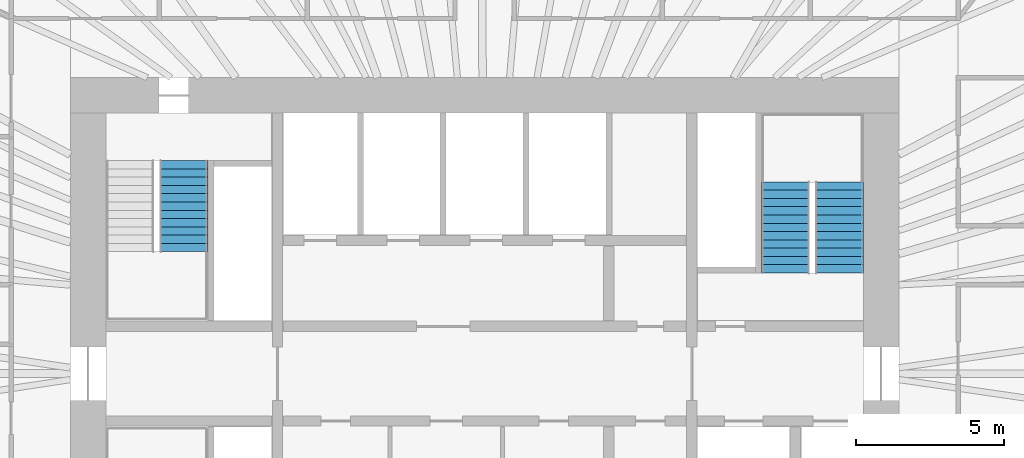
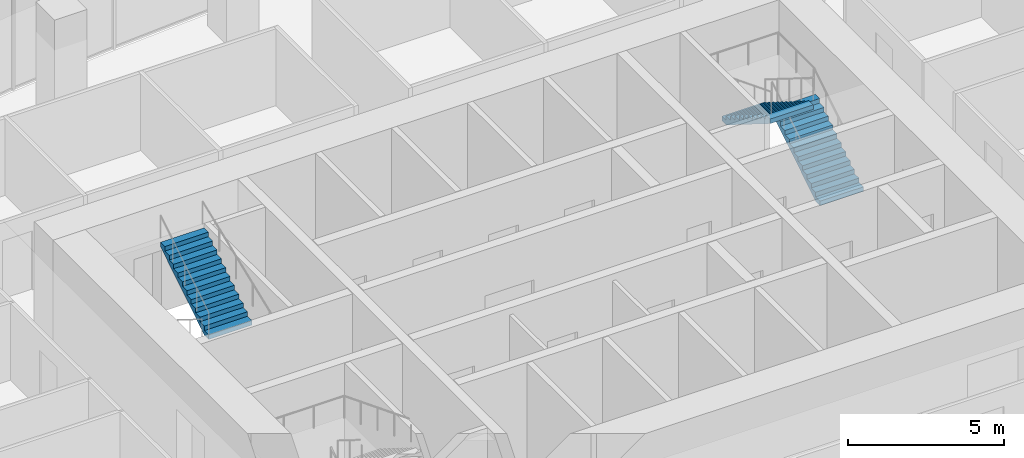
# One storey, part 11 of 12: 3 stair flights, 2 elements without a shape of their own.
"""IFC4 building model written with IfcOpenShell, lengths in metres."""

from ifc_helpers import new_model, si_unit, direction, frame, origin, place, context, subcontext, project, spatial, polyline, outline, extrude, material, type_object, element, aggregate, save


model = new_model("IFC4")

# Units and contexts
model_context = context("Model", 3, precision=1e-05, world=origin(), true_north=direction((0.0, 1.0)))
body_context = subcontext(model_context, "Body", "Model", "MODEL_VIEW")
ifc_project = project(units=[si_unit("LENGTHUNIT", "METRE"), si_unit("AREAUNIT", "SQUARE_METRE"), si_unit("VOLUMEUNIT", "CUBIC_METRE"), si_unit("PLANEANGLEUNIT", "RADIAN"), si_unit("MASSUNIT", "GRAM", prefix="KILO")], contexts=[model_context])

# Site, building, storey
site_placement = place(None, origin())
site = spatial("IfcSite", under=ifc_project, at=site_placement, CompositionType="ELEMENT")
building_placement = place(site_placement, origin())
building = spatial("IfcBuilding", under=site, at=building_placement, Name="Ghaith Harvest Tower", CompositionType="ELEMENT")
storey_placement = place(building_placement, frame((0.0, 0.0, 253.60009765625)))
storey = spatial("IfcBuildingStorey", under=building, at=storey_placement, Name="L56", CompositionType="ELEMENT", Elevation=253.60009765625)

# Stair, stair flight
ifc_material_1 = material(Name="Concrete C40/50, precast", Category="concrete")
stair_type = type_object("IfcStairType", Name="CORE STAIR 24R", PredefinedType="HALF_TURN_STAIR", material=ifc_material_1)
stair_1_placement = place(storey_placement, origin())
stair_1 = element("IfcStair", 1, at=stair_1_placement, inside=storey, type_object=stair_type, Name="Stair ST1 L56", PredefinedType="HALF_TURN_STAIR")
ifc_material_2 = material(Name="Concrete C40/50, precast", Category="concrete")
stair_flight_type = type_object("IfcStairFlightType", Name="CORE FLIGHT 12R 1600", PredefinedType="STRAIGHT", material=ifc_material_2)
stair_flight_1_placement = place(storey_placement, frame((-10.14990234375, 4.1201171875, 2.099853515625), z_axis=(0.0, 0.0, 1.0), x_axis=(0.0, 1.0, 0.0)))
stair_flight_1 = element("IfcStairFlight", 2, at=stair_flight_1_placement, type_object=stair_flight_type, Name="ST1 flight 2", NumberOfRisers=12, NumberOfTreads=11, PredefinedType="STRAIGHT", RiserHeight=0.175, TreadLength=0.28, context=body_context, shape_type="SweptSolid", body=[
    extrude(outline(polyline([(0.0, 0.0), (0.0, 0.175048828125), (0.280029296875, 0.175048828125), (0.280029296875, 0.35009765625), (0.56005859375, 0.35009765625), (0.56005859375, 0.52490234375), (0.840087890625, 0.52490234375), (0.840087890625, 0.699951171875), (1.1201171875, 0.699951171875), (1.1201171875, 0.875), (1.39990234375, 0.875), (1.39990234375, 1.050048828125), (1.679931640625, 1.050048828125), (1.679931640625, 1.22509765625), (1.9599609375, 1.22509765625), (1.9599609375, 1.39990234375), (2.239990234375, 1.39990234375), (2.239990234375, 1.574951171875), (2.52001953125, 1.574951171875), (2.52001953125, 1.75), (2.800048828125, 1.75), (2.800048828125, 1.925048828125), (3.080078125, 1.925048828125), (3.080078125, 2.10009765625), (3.080078125, 1.748291015625), (0.28271484375, 0.0), (0.0, 0.0)])), frame((0.0, 0.800048828125, 0.0), z_axis=(0.0, -1.0, 0.0), x_axis=(1.0, 0.0, 0.0)), (0.0, 0.0, 1.0), 1.60009765625),
])
aggregate(stair_1, [stair_flight_1])

# Stair, stair flights
stair_2_placement = place(storey_placement, origin())
stair_2 = element("IfcStair", 3, at=stair_2_placement, inside=storey, type_object=stair_type, Name="Stair ST2 L56", PredefinedType="HALF_TURN_STAIR")
stair_flight_2_placement = place(storey_placement, frame((12.0, 3.39990234375, 0.0), z_axis=(0.0, 0.0, 1.0), x_axis=(0.0, 1.0, 0.0)))
stair_flight_2 = element("IfcStairFlight", 4, at=stair_flight_2_placement, type_object=stair_flight_type, Name="ST2 flight 1", NumberOfRisers=12, NumberOfTreads=11, PredefinedType="STRAIGHT", RiserHeight=0.175, TreadLength=0.28, context=body_context, shape_type="SweptSolid", body=[
    extrude(outline(polyline([(0.0, 0.0), (0.0, 0.175048828125), (0.280029296875, 0.175048828125), (0.280029296875, 0.35009765625), (0.56005859375, 0.35009765625), (0.56005859375, 0.52490234375), (0.840087890625, 0.52490234375), (0.840087890625, 0.699951171875), (1.1201171875, 0.699951171875), (1.1201171875, 0.875), (1.39990234375, 0.875), (1.39990234375, 1.050048828125), (1.679931640625, 1.050048828125), (1.679931640625, 1.22509765625), (1.9599609375, 1.22509765625), (1.9599609375, 1.39990234375), (2.239990234375, 1.39990234375), (2.239990234375, 1.574951171875), (2.52001953125, 1.574951171875), (2.52001953125, 1.75), (2.800048828125, 1.75), (2.800048828125, 1.925048828125), (3.080078125, 1.925048828125), (3.080078125, 2.10009765625), (3.080078125, 1.748291015625), (0.28271484375, 0.0), (0.0, 0.0)])), frame((0.0, 0.800048828125, 0.0), z_axis=(0.0, -1.0, 0.0), x_axis=(1.0, 0.0, 0.0)), (0.0, 0.0, 1.0), 1.60009765625),
])
stair_flight_3_placement = place(storey_placement, frame((10.14990234375, 6.47998046875, 2.099853515625), z_axis=(0.0, 0.0, 1.0), x_axis=(0.0, -1.0, 0.0)))
stair_flight_3 = element("IfcStairFlight", 5, at=stair_flight_3_placement, type_object=stair_flight_type, Name="ST2 flight 2", NumberOfRisers=12, NumberOfTreads=11, PredefinedType="STRAIGHT", RiserHeight=0.175, TreadLength=0.28, context=body_context, shape_type="SweptSolid", body=[
    extrude(outline(polyline([(0.0, 0.0), (0.0, 0.175048828125), (0.280029296875, 0.175048828125), (0.280029296875, 0.35009765625), (0.56005859375, 0.35009765625), (0.56005859375, 0.52490234375), (0.840087890625, 0.52490234375), (0.840087890625, 0.699951171875), (1.1201171875, 0.699951171875), (1.1201171875, 0.875), (1.39990234375, 0.875), (1.39990234375, 1.050048828125), (1.679931640625, 1.050048828125), (1.679931640625, 1.22509765625), (1.9599609375, 1.22509765625), (1.9599609375, 1.39990234375), (2.239990234375, 1.39990234375), (2.239990234375, 1.574951171875), (2.52001953125, 1.574951171875), (2.52001953125, 1.75), (2.800048828125, 1.75), (2.800048828125, 1.925048828125), (3.080078125, 1.925048828125), (3.080078125, 2.10009765625), (3.080078125, 1.748291015625), (0.28271484375, 0.0), (0.0, 0.0)])), frame((0.0, 0.800048828125, 0.0), z_axis=(0.0, -1.0, 0.0), x_axis=(1.0, 0.0, 0.0)), (0.0, 0.0, 1.0), 1.60009765625),
])
aggregate(stair_2, [stair_flight_2, stair_flight_3])

save(model, "model.ifc")
